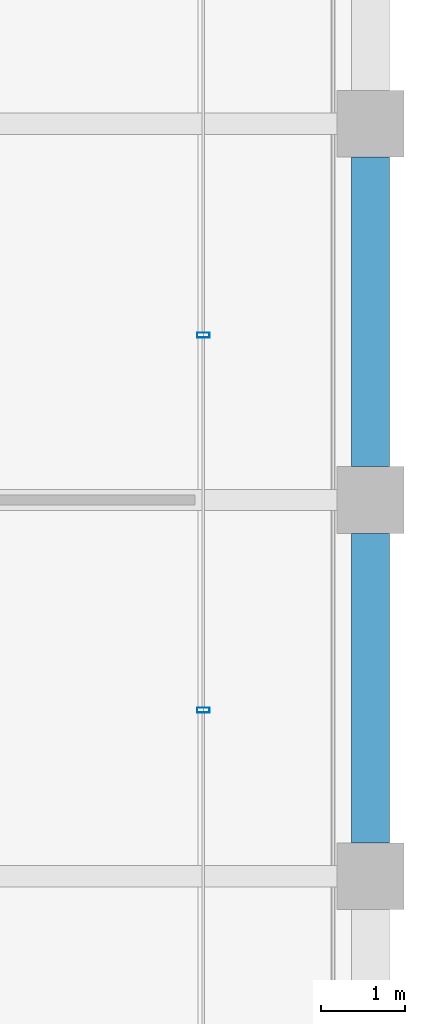
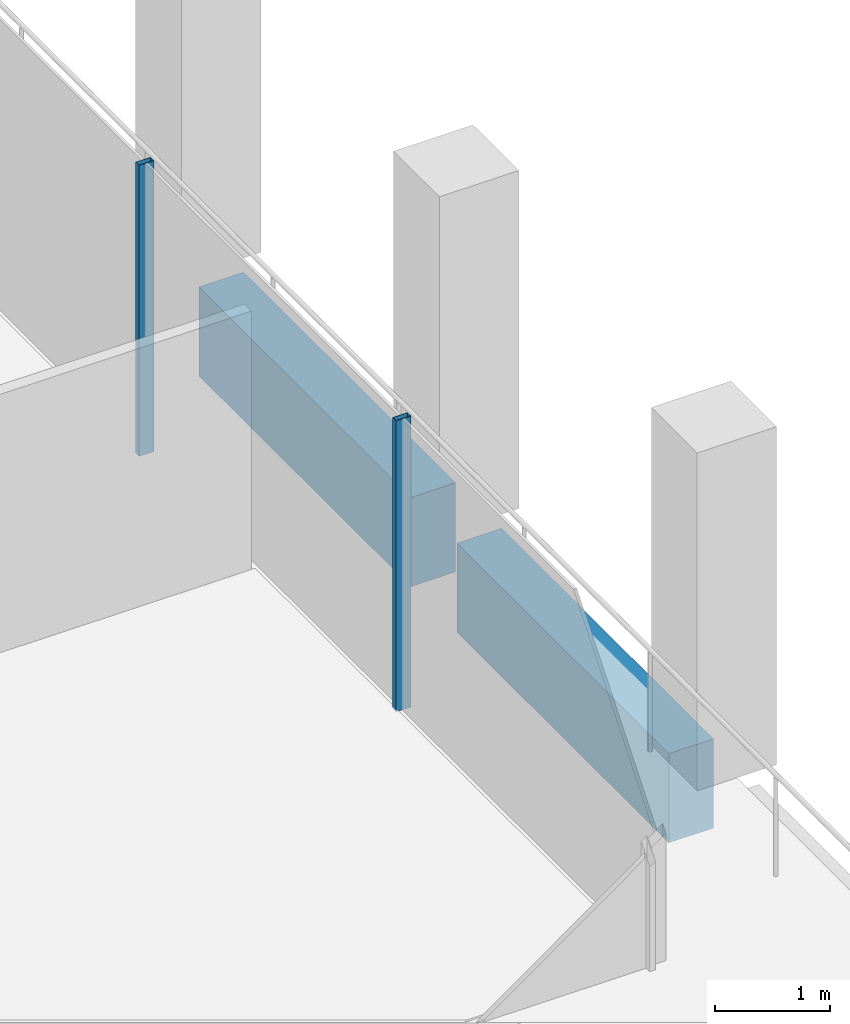
# One storey, part 15 of 30: 2 beams, 2 members, 1 element without a shape of its own.
"""IFC4 building model written with IfcOpenShell, lengths in metres."""

from ifc_helpers import new_model, si_unit, direction, frame, origin, origin_2d, place, context, subcontext, project, spatial, rectangle, hollow_rectangle, extrude, material, material_profile, profile_set, type_object, element, aggregate, save


model = new_model("IFC4")

# Units and contexts
model_context = context("Model", 3, precision=1e-05, world=origin(), true_north=direction((0.0, 1.0)))
body_context = subcontext(model_context, "Body", "Model", "MODEL_VIEW")
ifc_project = project(units=[si_unit("LENGTHUNIT", "METRE"), si_unit("AREAUNIT", "SQUARE_METRE"), si_unit("VOLUMEUNIT", "CUBIC_METRE"), si_unit("PLANEANGLEUNIT", "RADIAN"), si_unit("MASSUNIT", "GRAM", prefix="KILO")], contexts=[model_context])

# Site, building, storey
site_placement = place(None, origin())
site = spatial("IfcSite", under=ifc_project, at=site_placement, CompositionType="ELEMENT")
building_placement = place(site_placement, origin())
building = spatial("IfcBuilding", under=site, at=building_placement, Name="Altepetl Exchange Towers", CompositionType="ELEMENT")
storey_placement = place(building_placement, frame((0.0, 0.0, 235.199951171875)))
storey = spatial("IfcBuildingStorey", under=building, at=storey_placement, Name="L60", CompositionType="ELEMENT", Elevation=235.199951171875)

# Curtain wall, members
ifc_material_1 = material(Name="Aluminium 6063-T6 glazing", Category="aluminium")
curtain_wall_type = type_object("IfcCurtainWallType", Name="Loggia glazing system", PredefinedType="NOTDEFINED", material=ifc_material_1)
curtain_wall_placement = place(storey_placement, origin())
curtain_wall = element("IfcCurtainWall", 1, at=curtain_wall_placement, inside=storey, type_object=curtain_wall_type, Name="CW1 run", PredefinedType="NOTDEFINED")
ifc_material_2 = material(Name="Aluminium 6063-T6", Category="aluminium")
ifc_material_profile_1 = material_profile(ifc_material_2, hollow_rectangle(XDim=0.06005859375, YDim=0.14990234375, WallThickness=0.0029296875, at=origin_2d()), Name="Mullion 60x150 aluminium")
ifc_profile_set_1 = profile_set([ifc_material_profile_1], Name="Aluminium 6063-T6")
member_type = type_object("IfcMemberType", Name="Mullion 60x150 aluminium", PredefinedType="MULLION", material=ifc_profile_set_1)
member_1_placement = place(storey_placement, frame((70.0, 37.986083984375, 0.0), z_axis=(0.0, 0.0, 1.0), x_axis=(0.0, 1.0, 0.0)))
member_1 = element("IfcMember", 2, at=member_1_placement, type_object=member_type, Name="MU1 mullion", PredefinedType="MULLION", context=body_context, shape_type="SweptSolid", body=[
    extrude(hollow_rectangle(XDim=0.06005859375, YDim=0.14990234375, WallThickness=0.0029296875, at=origin_2d()), origin(), (0.0, 0.0, 1.0), 3.10009765625),
])
member_2_placement = place(storey_placement, frame((70.0, 42.471923828125, 0.0), z_axis=(0.0, 0.0, 1.0), x_axis=(0.0, 1.0, 0.0)))
member_2 = element("IfcMember", 3, at=member_2_placement, type_object=member_type, Name="MU1 mullion", PredefinedType="MULLION", context=body_context, shape_type="SweptSolid", body=[
    extrude(hollow_rectangle(XDim=0.06005859375, YDim=0.14990234375, WallThickness=0.0029296875, at=origin_2d()), origin(), (0.0, 0.0, 1.0), 3.10009765625),
])
aggregate(curtain_wall, [member_1, member_2])

# Beams
ifc_material_3 = material(Name="Concrete C50/60 precast with cantera amarilla facing", Category="concrete")
ifc_material_profile_2 = material_profile(ifc_material_3, rectangle(XDim=0.449951171875, YDim=0.949951171875, at=origin_2d()), Name="450 x 950")
ifc_profile_set_2 = profile_set([ifc_material_profile_2], Name="Concrete C50/60 precast with cantera amarilla facing")
beam_type = type_object("IfcBeamType", Name="Spandrel beam 450x950 cantera amarilla", PredefinedType="SPANDREL", material=ifc_profile_set_2)
for number, where, z_axis, x_axis, name in (
    (4, (72.0, 36.39990234375, -0.625), (0.0, 1.0, 0.0), (-1.0, 0.0, 0.0), "sp:A:L60:013"),
    (5, (72.0, 40.89990234375, -0.625), (0.0, 1.0, 0.0), (-1.0, 0.0, 0.0), "sp:A:L60:014"),
):
    element("IfcBeam", number, at=place(storey_placement, frame(where, z_axis=z_axis, x_axis=x_axis)), inside=storey, type_object=beam_type, Name=name, PredefinedType="SPANDREL", context=body_context, shape_type="SweptSolid", body=[
        extrude(rectangle(XDim=0.449951171875, YDim=0.949951171875, at=origin_2d()), origin(), (0.0, 0.0, 1.0), 3.7001953125),
    ])

save(model, "model.ifc")
